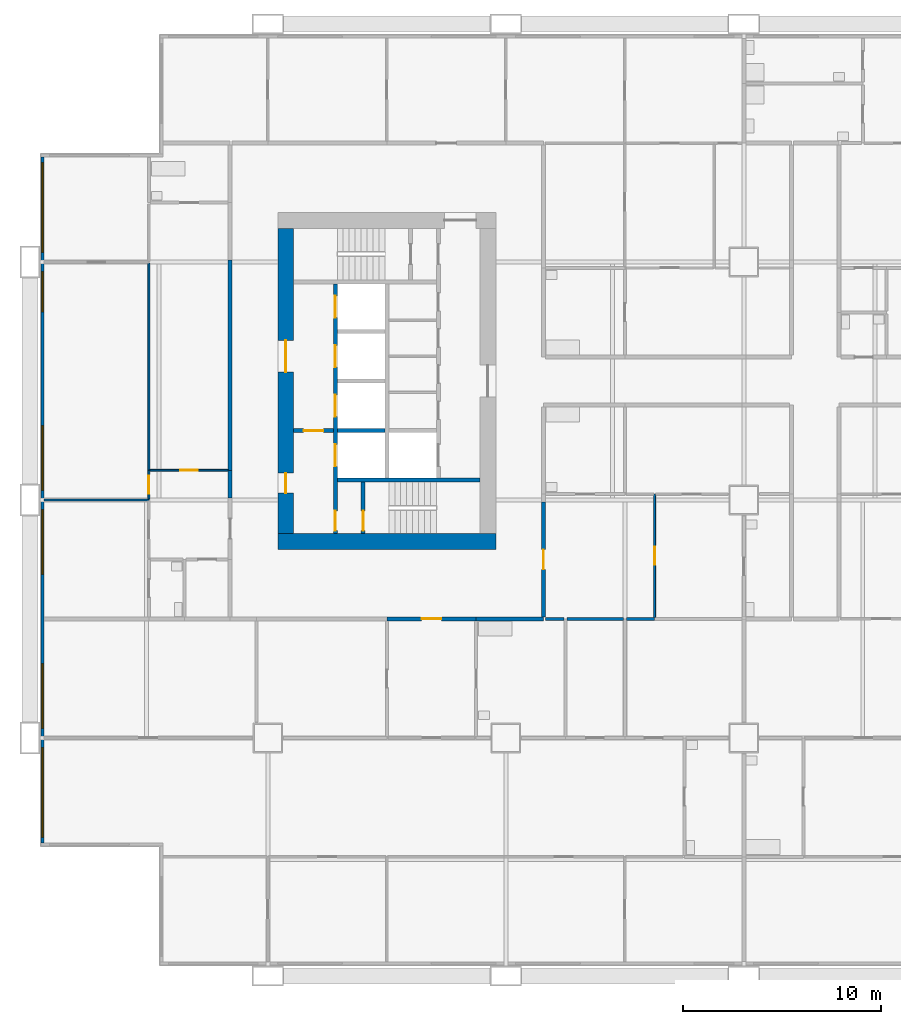
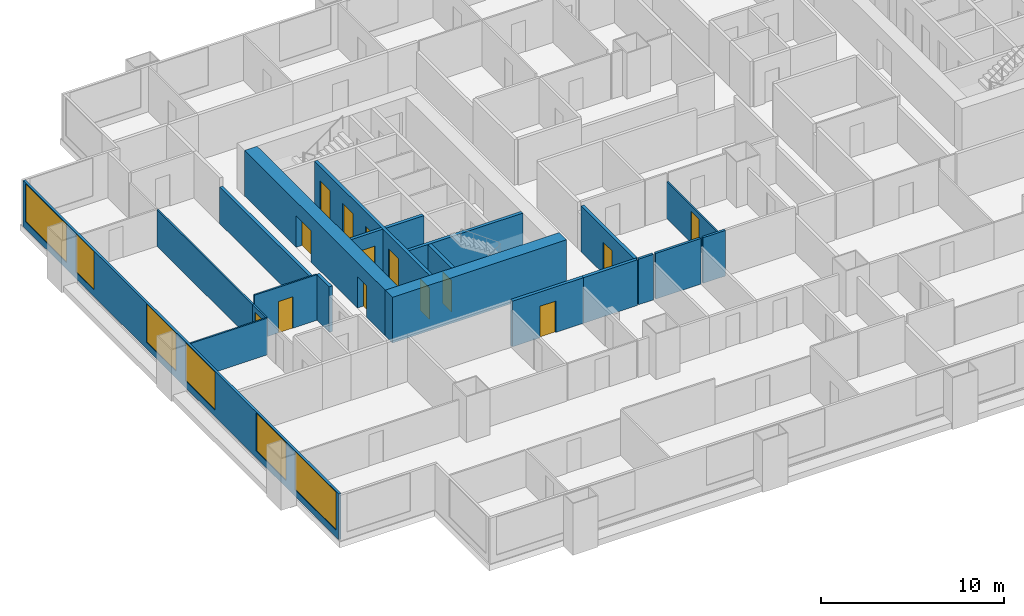
# One storey, part 3 of 13: 21 walls, 14 doors, 6 windows, 20 openings.
"""IFC4 building model written with IfcOpenShell, lengths in metres."""

from ifc_helpers import new_model, si_unit, direction, frame, frame_2d, origin, place, context, subcontext, project, spatial, rectangle, extrude, material, layer, layer_set, type_object, element, fill, save


model = new_model("IFC4")

# Units and contexts
model_context = context("Model", 3, precision=1e-05, world=origin(), true_north=direction((0.0, 1.0)))
body_context = subcontext(model_context, "Body", "Model", "MODEL_VIEW")
ifc_project = project(units=[si_unit("LENGTHUNIT", "METRE"), si_unit("AREAUNIT", "SQUARE_METRE"), si_unit("VOLUMEUNIT", "CUBIC_METRE"), si_unit("PLANEANGLEUNIT", "RADIAN"), si_unit("MASSUNIT", "GRAM", prefix="KILO")], contexts=[model_context])

# Site, building, storey
site_placement = place(None, origin())
site = spatial("IfcSite", under=ifc_project, at=site_placement, CompositionType="ELEMENT")
building_placement = place(site_placement, origin())
building = spatial("IfcBuilding", under=site, at=building_placement, Name="Kitamizu Gate Tower and Museum", CompositionType="ELEMENT")
storey_placement = place(building_placement, frame((0.0, 0.0, 78.300048828125)))
storey = spatial("IfcBuildingStorey", under=building, at=storey_placement, Name="L19", CompositionType="ELEMENT", Elevation=78.300048828125)

# Wall
ifc_material_1 = material(Name="Concrete Fc60", Category="concrete")
ifc_layer_1 = layer(ifc_material_1, 0.800048828125)
ifc_layer_set_1 = layer_set([ifc_layer_1], Name="Concrete Fc60")
wall_type_1 = type_object("IfcWallType", Name="Core wall 800", PredefinedType="SHEAR", material=ifc_layer_set_1)
wall_1_placement = place(storey_placement, frame((12.5, 21.89990234375, 0.0), z_axis=(0.0, 0.0, 1.0), x_axis=(1.0, 0.0, 0.0)))
element("IfcWall", 1, at=wall_1_placement, inside=storey, type_object=wall_type_1, Name="Core wall WS", PredefinedType="SHEAR", context=body_context, shape_type="SweptSolid", body=[
    extrude(rectangle(XDim=11.0, YDim=0.800048828125, at=frame_2d((5.5, 0.0))), origin(), (0.0, 0.0, 1.0), 3.050048828125),
])

# Wall, openings, doors
wall_2_placement = place(storey_placement, frame((12.89990234375, 22.300048828125, 0.0), z_axis=(0.0, 0.0, 1.0), x_axis=(0.0, 1.0, 0.0)))
wall_2 = element("IfcWall", 2, at=wall_2_placement, inside=storey, type_object=wall_type_1, Name="Core wall WOUT", PredefinedType="SHEAR", context=body_context, shape_type="SweptSolid", body=[
    extrude(rectangle(XDim=15.39990234375, YDim=0.800048828125, at=frame_2d((7.699951171875, 0.0))), origin(), (0.0, 0.0, 1.0), 3.050048828125),
])
opening_1_placement = place(wall_2_placement, frame((8.14990234375, 0.0, 0.0)))
opening_1 = element("IfcOpeningElement", 3, at=opening_1_placement, cuts=wall_2, Name="Opening L19-076", PredefinedType="OPENING", context=body_context, shape_type="SweptSolid", body=[
    extrude(rectangle(XDim=1.60009765625, YDim=2.10009765625, at=frame_2d((0.800048828125, 1.050048828125))), frame((0.0, 0.41015625, 0.0), z_axis=(0.0, -1.0, 0.0), x_axis=(1.0, 0.0, 0.0)), (0.0, 0.0, 1.0), 0.820068359375),
])
opening_2_placement = place(wall_2_placement, frame((2.050048828125, 0.0, 0.0)))
opening_2 = element("IfcOpeningElement", 4, at=opening_2_placement, cuts=wall_2, Name="Opening L19-077", PredefinedType="OPENING", context=body_context, shape_type="SweptSolid", body=[
    extrude(rectangle(XDim=1.0, YDim=2.10009765625, at=frame_2d((0.5, 1.050048828125))), frame((0.0, 0.41015625, 0.0), z_axis=(0.0, -1.0, 0.0), x_axis=(1.0, 0.0, 0.0)), (0.0, 0.0, 1.0), 0.820068359375),
])
ifc_material_2 = material(Name="Timber door set", Category="wood")
door_type_1 = type_object("IfcDoorType", Name="Entrance door 1600", OperationType="DOUBLE_DOOR_SINGLE_SWING", PredefinedType="DOOR", material=ifc_material_2)
door_1_placement = place(opening_1_placement, origin())
door_1 = element("IfcDoor", 5, at=door_1_placement, inside=storey, type_object=door_type_1, Name="Lobby door L19-076", OperationType="DOUBLE_DOOR_SINGLE_SWING", OverallHeight=2.10009765625, OverallWidth=1.60009765625, PredefinedType="DOOR", context=body_context, shape_type="SweptSolid", body=[
    extrude(rectangle(XDim=1.60009765625, YDim=2.10009765625, at=frame_2d((0.800048828125, 1.050048828125))), frame((0.0, 0.02490234375, 0.0), z_axis=(0.0, -1.0, 0.0), x_axis=(1.0, 0.0, 0.0)), (0.0, 0.0, 1.0), 0.050048828125),
])
fill(opening_1, door_1)
ifc_material_3 = material(Name="Hollow metal door set")
door_type_2 = type_object("IfcDoorType", Name="Fire door 1000", OperationType="NOTDEFINED", PredefinedType="DOOR", material=ifc_material_3)
door_2_placement = place(opening_2_placement, frame((1.0, 0.0, 0.0), x_axis=(-1.0, 0.0, 0.0)))
door_2 = element("IfcDoor", 6, at=door_2_placement, inside=storey, type_object=door_type_2, Name="Fire-fighting lobby door L19-077", OperationType="SINGLE_SWING_RIGHT", OverallHeight=2.10009765625, OverallWidth=1.0, PredefinedType="DOOR", context=body_context, shape_type="SweptSolid", body=[
    extrude(rectangle(XDim=1.0, YDim=2.10009765625, at=frame_2d((0.5, 1.050048828125))), frame((0.0, 0.02490234375, 0.0), z_axis=(0.0, -1.0, 0.0), x_axis=(1.0, 0.0, 0.0)), (0.0, 0.0, 1.0), 0.050048828125),
])
fill(opening_2, door_2)

# Wall, opening, door
ifc_material_4 = material(Name="Gypsum board on galvanised stud")
ifc_layer_2 = layer(ifc_material_4, 0.10009765625)
ifc_layer_set_2 = layer_set([ifc_layer_2], Name="Gypsum board on galvanised stud")
wall_type_2 = type_object("IfcWallType", Name="Partition 100 NOT RATED", PredefinedType="PARTITIONING", material=ifc_layer_set_2)
wall_3_placement = place(storey_placement, frame((31.5, 18.074951171875, 0.0), z_axis=(0.0, 0.0, 1.0), x_axis=(0.0, 1.0, 0.0)))
wall_3 = element("IfcWall", 7, at=wall_3_placement, inside=storey, type_object=wall_type_2, Name="Partition L19-038", PredefinedType="PARTITIONING", context=body_context, shape_type="SweptSolid", body=[
    extrude(rectangle(XDim=6.22509765625, YDim=0.10009765625, at=frame_2d((3.112548828125, 0.0))), origin(), (0.0, 0.0, 1.0), 2.449951171875),
])
opening_3_placement = place(wall_3_placement, frame((2.66259765625, 0.0, 0.0)))
opening_3 = element("IfcOpeningElement", 8, at=opening_3_placement, cuts=wall_3, Name="Opening L19-014", PredefinedType="OPENING", context=body_context, shape_type="SweptSolid", body=[
    extrude(rectangle(XDim=0.89990234375, YDim=2.10009765625, at=frame_2d((0.449951171875, 1.050048828125))), frame((0.0, 0.06005859375, 0.0), z_axis=(0.0, -1.0, 0.0), x_axis=(1.0, 0.0, 0.0)), (0.0, 0.0, 1.0), 0.1201171875),
])
ifc_material_5 = material(Name="Timber door set", Category="wood")
door_type_3 = type_object("IfcDoorType", Name="Room door 900", OperationType="NOTDEFINED", PredefinedType="DOOR", material=ifc_material_5)
door_3_placement = place(opening_3_placement, frame((0.89990234375, 0.0, 0.0), x_axis=(-1.0, 0.0, 0.0)))
door_3 = element("IfcDoor", 9, at=door_3_placement, inside=storey, type_object=door_type_3, Name="Door L19-014", OperationType="SINGLE_SWING_LEFT", OverallHeight=2.10009765625, OverallWidth=0.89990234375, PredefinedType="DOOR", context=body_context, shape_type="SweptSolid", body=[
    extrude(rectangle(XDim=0.89990234375, YDim=2.10009765625, at=frame_2d((0.449951171875, 1.050048828125))), frame((0.0, 0.02490234375, 0.0), z_axis=(0.0, -1.0, 0.0), x_axis=(1.0, 0.0, 0.0)), (0.0, 0.0, 1.0), 0.050048828125),
])
fill(opening_3, door_3)

# Wall
wall_4_placement = place(storey_placement, frame((6.0, 24.0, 0.0), z_axis=(0.0, 0.0, 1.0), x_axis=(-1.0, 0.0, 0.0)))
element("IfcWall", 10, at=wall_4_placement, inside=storey, type_object=wall_type_2, Name="Partition L19-054", PredefinedType="PARTITIONING", context=body_context, shape_type="SweptSolid", body=[
    extrude(rectangle(XDim=5.280029296875, YDim=0.10009765625, at=frame_2d((2.64013671875, 0.0))), origin(), (0.0, 0.0, 1.0), 2.449951171875),
])

# Wall, opening, door
wall_5_placement = place(storey_placement, frame((6.0, 24.050048828125, 0.0), z_axis=(0.0, 0.0, 1.0), x_axis=(0.0, 1.0, 0.0)))
wall_5 = element("IfcWall", 11, at=wall_5_placement, inside=storey, type_object=wall_type_2, Name="Partition L19-058", PredefinedType="PARTITIONING", context=body_context, shape_type="SweptSolid", body=[
    extrude(rectangle(XDim=1.449951171875, YDim=0.10009765625, at=frame_2d((0.72509765625, 0.0))), origin(), (0.0, 0.0, 1.0), 2.449951171875),
])
opening_4_placement = place(wall_5_placement, frame((0.27490234375, 0.0, 0.0)))
opening_4 = element("IfcOpeningElement", 12, at=opening_4_placement, cuts=wall_5, Name="Opening L19-020", PredefinedType="OPENING", context=body_context, shape_type="SweptSolid", body=[
    extrude(rectangle(XDim=0.89990234375, YDim=2.10009765625, at=frame_2d((0.449951171875, 1.050048828125))), frame((0.0, 0.06005859375, 0.0), z_axis=(0.0, -1.0, 0.0), x_axis=(1.0, 0.0, 0.0)), (0.0, 0.0, 1.0), 0.1201171875),
])
door_4_placement = place(opening_4_placement, origin())
door_4 = element("IfcDoor", 13, at=door_4_placement, inside=storey, type_object=door_type_3, Name="Door L19-020", OperationType="SINGLE_SWING_RIGHT", OverallHeight=2.10009765625, OverallWidth=0.89990234375, PredefinedType="DOOR", context=body_context, shape_type="SweptSolid", body=[
    extrude(rectangle(XDim=0.89990234375, YDim=2.10009765625, at=frame_2d((0.449951171875, 1.050048828125))), frame((0.0, 0.02490234375, 0.0), z_axis=(0.0, -1.0, 0.0), x_axis=(1.0, 0.0, 0.0)), (0.0, 0.0, 1.0), 0.050048828125),
])
fill(opening_4, door_4)

# Wall
wall_6_placement = place(storey_placement, frame((6.0, 25.5, 0.0), z_axis=(0.0, 0.0, 1.0), x_axis=(0.0, 1.0, 0.0)))
element("IfcWall", 14, at=wall_6_placement, inside=storey, type_object=wall_type_2, Name="Partition L19-059", PredefinedType="PARTITIONING", context=body_context, shape_type="SweptSolid", body=[
    extrude(rectangle(XDim=10.449951171875, YDim=0.10009765625, at=frame_2d((5.22509765625, 0.0))), origin(), (0.0, 0.0, 1.0), 2.449951171875),
])

# Wall, opening, door
wall_7_placement = place(storey_placement, frame((10.0, 25.5, 0.0), z_axis=(0.0, 0.0, 1.0), x_axis=(-1.0, 0.0, 0.0)))
wall_7 = element("IfcWall", 15, at=wall_7_placement, inside=storey, type_object=wall_type_2, Name="Partition L19-066", PredefinedType="PARTITIONING", context=body_context, shape_type="SweptSolid", body=[
    extrude(rectangle(XDim=3.949951171875, YDim=0.10009765625, at=frame_2d((1.97509765625, 0.0))), origin(), (0.0, 0.0, 1.0), 3.050048828125),
])
opening_5_placement = place(wall_7_placement, frame((1.52490234375, 0.0, 0.0)))
opening_5 = element("IfcOpeningElement", 16, at=opening_5_placement, cuts=wall_7, Name="Opening L19-021", PredefinedType="OPENING", context=body_context, shape_type="SweptSolid", body=[
    extrude(rectangle(XDim=0.89990234375, YDim=2.10009765625, at=frame_2d((0.449951171875, 1.050048828125))), frame((0.0, 0.06005859375, 0.0), z_axis=(0.0, -1.0, 0.0), x_axis=(1.0, 0.0, 0.0)), (0.0, 0.0, 1.0), 0.1201171875),
])
door_5_placement = place(opening_5_placement, origin())
door_5 = element("IfcDoor", 17, at=door_5_placement, inside=storey, type_object=door_type_3, Name="Door L19-021", OperationType="SINGLE_SWING_RIGHT", OverallHeight=2.10009765625, OverallWidth=0.89990234375, PredefinedType="DOOR", context=body_context, shape_type="SweptSolid", body=[
    extrude(rectangle(XDim=0.89990234375, YDim=2.10009765625, at=frame_2d((0.449951171875, 1.050048828125))), frame((0.0, 0.02490234375, 0.0), z_axis=(0.0, -1.0, 0.0), x_axis=(1.0, 0.0, 0.0)), (0.0, 0.0, 1.0), 0.050048828125),
])
fill(opening_5, door_5)

# Walls
ifc_material_6 = material(Name="Gypsum board on galvanised stud")
ifc_layer_3 = layer(ifc_material_6, 0.14990234375)
ifc_layer_set_3 = layer_set([ifc_layer_3], Name="Gypsum board on galvanised stud")
wall_type_3 = type_object("IfcWallType", Name="Partition 150", PredefinedType="PARTITIONING", material=ifc_layer_set_3)
wall_8_placement = place(storey_placement, frame((26.925048828125, 18.0, 0.0), z_axis=(0.0, 0.0, 1.0), x_axis=(-1.0, 0.0, 0.0)))
element("IfcWall", 18, at=wall_8_placement, inside=storey, type_object=wall_type_3, Name="Partition L19-031", PredefinedType="PARTITIONING", context=body_context, shape_type="SweptSolid", body=[
    extrude(rectangle(XDim=0.925048828125, YDim=0.14990234375, at=frame_2d((0.46240234375, 0.0))), origin(), (0.0, 0.0, 1.0), 3.050048828125),
])
wall_9_placement = place(storey_placement, frame((29.925048828125, 18.0, 0.0), z_axis=(0.0, 0.0, 1.0), x_axis=(-1.0, 0.0, 0.0)))
element("IfcWall", 19, at=wall_9_placement, inside=storey, type_object=wall_type_3, Name="Partition L19-034", PredefinedType="PARTITIONING", context=body_context, shape_type="SweptSolid", body=[
    extrude(rectangle(XDim=2.85009765625, YDim=0.14990234375, at=frame_2d((1.425048828125, 0.0))), origin(), (0.0, 0.0, 1.0), 3.050048828125),
])
wall_10_placement = place(storey_placement, frame((31.5, 18.0, 0.0), z_axis=(0.0, 0.0, 1.0), x_axis=(-1.0, 0.0, 0.0)))
element("IfcWall", 20, at=wall_10_placement, inside=storey, type_object=wall_type_3, Name="Partition L19-035", PredefinedType="PARTITIONING", context=body_context, shape_type="SweptSolid", body=[
    extrude(rectangle(XDim=1.425048828125, YDim=0.14990234375, at=frame_2d((0.71240234375, 0.0))), origin(), (0.0, 0.0, 1.0), 3.050048828125),
])

# Wall, opening, door
ifc_material_7 = material(Name="Gypsum board on galvanised stud")
ifc_layer_4 = layer(ifc_material_7, 0.199951171875)
ifc_layer_set_4 = layer_set([ifc_layer_4], Name="Gypsum board on galvanised stud")
wall_type_4 = type_object("IfcWallType", Name="Partition 200", PredefinedType="PARTITIONING", material=ifc_layer_set_4)
wall_11_placement = place(storey_placement, frame((22.5, 18.0, 0.0), z_axis=(0.0, 0.0, 1.0), x_axis=(-1.0, 0.0, 0.0)))
wall_11 = element("IfcWall", 21, at=wall_11_placement, inside=storey, type_object=wall_type_4, Name="Partition L19-029", PredefinedType="PARTITIONING", context=body_context, shape_type="SweptSolid", body=[
    extrude(rectangle(XDim=4.5, YDim=0.199951171875, at=frame_2d((2.25, 0.0))), origin(), (0.0, 0.0, 1.0), 3.050048828125),
])
opening_6_placement = place(wall_11_placement, frame((1.75, 0.0, 0.0)))
opening_6 = element("IfcOpeningElement", 22, at=opening_6_placement, cuts=wall_11, Name="Opening L19-001", PredefinedType="OPENING", context=body_context, shape_type="SweptSolid", body=[
    extrude(rectangle(XDim=1.0, YDim=2.10009765625, at=frame_2d((0.5, 1.050048828125))), frame((0.0, 0.10986328125, 0.0), z_axis=(0.0, -1.0, 0.0), x_axis=(1.0, 0.0, 0.0)), (0.0, 0.0, 1.0), 0.219970703125),
])
ifc_material_8 = material(Name="Timber door set", Category="wood")
door_type_4 = type_object("IfcDoorType", Name="Flat entrance door 1000", OperationType="NOTDEFINED", PredefinedType="DOOR", material=ifc_material_8)
door_6_placement = place(opening_6_placement, origin())
door_6 = element("IfcDoor", 23, at=door_6_placement, inside=storey, type_object=door_type_4, Name="Flat entrance door L19-001", OperationType="SINGLE_SWING_RIGHT", OverallHeight=2.10009765625, OverallWidth=1.0, PredefinedType="DOOR", context=body_context, shape_type="SweptSolid", body=[
    extrude(rectangle(XDim=1.0, YDim=2.10009765625, at=frame_2d((0.5, 1.050048828125))), frame((0.0, 0.02490234375, 0.0), z_axis=(0.0, -1.0, 0.0), x_axis=(1.0, 0.0, 0.0)), (0.0, 0.0, 1.0), 0.050048828125),
])
fill(opening_6, door_6)

# Wall
wall_12_placement = place(storey_placement, frame((25.89990234375, 18.0, 0.0), z_axis=(0.0, 0.0, 1.0), x_axis=(-1.0, 0.0, 0.0)))
element("IfcWall", 24, at=wall_12_placement, inside=storey, type_object=wall_type_4, Name="Partition L19-032", PredefinedType="PARTITIONING", context=body_context, shape_type="SweptSolid", body=[
    extrude(rectangle(XDim=3.39990234375, YDim=0.199951171875, at=frame_2d((1.699951171875, 0.0))), origin(), (0.0, 0.0, 1.0), 3.050048828125),
])

# Wall, opening, door
wall_13_placement = place(storey_placement, frame((25.89990234375, 23.89990234375, 0.0), z_axis=(0.0, 0.0, 1.0), x_axis=(0.0, -1.0, 0.0)))
wall_13 = element("IfcWall", 25, at=wall_13_placement, inside=storey, type_object=wall_type_4, Name="Partition L19-042", PredefinedType="PARTITIONING", context=body_context, shape_type="SweptSolid", body=[
    extrude(rectangle(XDim=5.7998046875, YDim=0.199951171875, at=frame_2d((2.89990234375, 0.0))), origin(), (0.0, 0.0, 1.0), 3.050048828125),
])
opening_7_placement = place(wall_13_placement, frame((2.39990234375, 0.0, 0.0)))
opening_7 = element("IfcOpeningElement", 26, at=opening_7_placement, cuts=wall_13, Name="Opening L19-013", PredefinedType="OPENING", context=body_context, shape_type="SweptSolid", body=[
    extrude(rectangle(XDim=1.0, YDim=2.10009765625, at=frame_2d((0.5, 1.050048828125))), frame((0.0, 0.10986328125, 0.0), z_axis=(0.0, -1.0, 0.0), x_axis=(1.0, 0.0, 0.0)), (0.0, 0.0, 1.0), 0.219970703125),
])
door_7_placement = place(opening_7_placement, origin())
door_7 = element("IfcDoor", 27, at=door_7_placement, inside=storey, type_object=door_type_4, Name="Flat entrance door L19-013", OperationType="SINGLE_SWING_LEFT", OverallHeight=2.10009765625, OverallWidth=1.0, PredefinedType="DOOR", context=body_context, shape_type="SweptSolid", body=[
    extrude(rectangle(XDim=1.0, YDim=2.10009765625, at=frame_2d((0.5, 1.050048828125))), frame((0.0, 0.02490234375, 0.0), z_axis=(0.0, -1.0, 0.0), x_axis=(1.0, 0.0, 0.0)), (0.0, 0.0, 1.0), 0.050048828125),
])
fill(opening_7, door_7)

# Walls
wall_14_placement = place(storey_placement, frame((10.10009765625, 24.10009765625, 0.0), z_axis=(0.0, 0.0, 1.0), x_axis=(0.0, 1.0, 0.0)))
element("IfcWall", 28, at=wall_14_placement, inside=storey, type_object=wall_type_4, Name="Partition L19-068", PredefinedType="PARTITIONING", context=body_context, shape_type="SweptSolid", body=[
    extrude(rectangle(XDim=1.39990234375, YDim=0.199951171875, at=frame_2d((0.699951171875, 0.0))), origin(), (0.0, 0.0, 1.0), 3.050048828125),
])
wall_15_placement = place(storey_placement, frame((10.10009765625, 25.5, 0.0), z_axis=(0.0, 0.0, 1.0), x_axis=(0.0, 1.0, 0.0)))
element("IfcWall", 29, at=wall_15_placement, inside=storey, type_object=wall_type_4, Name="Partition L19-070", PredefinedType="PARTITIONING", context=body_context, shape_type="SweptSolid", body=[
    extrude(rectangle(XDim=10.60009765625, YDim=0.199951171875, at=frame_2d((5.300048828125, 0.0))), origin(), (0.0, 0.0, 1.0), 2.449951171875),
])

# Wall, openings, doors
ifc_material_9 = material(Name="Concrete Fc42", Category="concrete")
ifc_layer_5 = layer(ifc_material_9, 0.199951171875)
ifc_layer_set_5 = layer_set([ifc_layer_5], Name="Concrete Fc42")
wall_type_5 = type_object("IfcWallType", Name="Shaft wall 200", PredefinedType="SOLIDWALL", material=ifc_layer_set_5)
wall_16_placement = place(storey_placement, frame((15.39990234375, 22.300048828125, 0.0), z_axis=(0.0, 0.0, 1.0), x_axis=(0.0, 1.0, 0.0)))
wall_16 = element("IfcWall", 30, at=wall_16_placement, inside=storey, type_object=wall_type_5, Name="Shaft wall WWEST", PredefinedType="SOLIDWALL", context=body_context, shape_type="SweptSolid", body=[
    extrude(rectangle(XDim=12.599853515625, YDim=0.199951171875, at=frame_2d((6.2998046875, 0.0))), origin(), (0.0, 0.0, 1.0), 3.050048828125),
])
opening_8_placement = place(wall_16_placement, frame((3.39990234375, 0.0, 0.0)))
opening_8 = element("IfcOpeningElement", 31, at=opening_8_placement, cuts=wall_16, Name="Opening LD", PredefinedType="OPENING", context=body_context, shape_type="SweptSolid", body=[
    extrude(rectangle(XDim=1.10009765625, YDim=2.10009765625, at=frame_2d((0.550048828125, 1.050048828125))), frame((0.0, 0.10986328125, 0.0), z_axis=(0.0, -1.0, 0.0), x_axis=(1.0, 0.0, 0.0)), (0.0, 0.0, 1.0), 0.219970703125),
])
opening_9_placement = place(wall_16_placement, frame((5.89990234375, 0.0, 0.0)))
opening_9 = element("IfcOpeningElement", 32, at=opening_9_placement, cuts=wall_16, Name="Opening LD", PredefinedType="OPENING", context=body_context, shape_type="SweptSolid", body=[
    extrude(rectangle(XDim=1.10009765625, YDim=2.10009765625, at=frame_2d((0.550048828125, 1.050048828125))), frame((0.0, 0.10986328125, 0.0), z_axis=(0.0, -1.0, 0.0), x_axis=(1.0, 0.0, 0.0)), (0.0, 0.0, 1.0), 0.219970703125),
])
opening_10_placement = place(wall_16_placement, frame((8.39990234375, 0.0, 0.0)))
opening_10 = element("IfcOpeningElement", 33, at=opening_10_placement, cuts=wall_16, Name="Opening LD", PredefinedType="OPENING", context=body_context, shape_type="SweptSolid", body=[
    extrude(rectangle(XDim=1.10009765625, YDim=2.10009765625, at=frame_2d((0.550048828125, 1.050048828125))), frame((0.0, 0.10986328125, 0.0), z_axis=(0.0, -1.0, 0.0), x_axis=(1.0, 0.0, 0.0)), (0.0, 0.0, 1.0), 0.219970703125),
])
opening_11_placement = place(wall_16_placement, frame((10.89990234375, 0.0, 0.0)))
opening_11 = element("IfcOpeningElement", 34, at=opening_11_placement, cuts=wall_16, Name="Opening LD", PredefinedType="OPENING", context=body_context, shape_type="SweptSolid", body=[
    extrude(rectangle(XDim=1.10009765625, YDim=2.10009765625, at=frame_2d((0.550048828125, 1.050048828125))), frame((0.0, 0.10986328125, 0.0), z_axis=(0.0, -1.0, 0.0), x_axis=(1.0, 0.0, 0.0)), (0.0, 0.0, 1.0), 0.219970703125),
])
opening_12_placement = place(wall_16_placement, frame((0.14990234375, 0.0, 0.0)))
opening_12 = element("IfcOpeningElement", 35, at=opening_12_placement, cuts=wall_16, Name="Opening L19-072", PredefinedType="OPENING", context=body_context, shape_type="SweptSolid", body=[
    extrude(rectangle(XDim=1.0, YDim=2.10009765625, at=frame_2d((0.5, 1.050048828125))), frame((0.0, 0.10986328125, 0.0), z_axis=(0.0, -1.0, 0.0), x_axis=(1.0, 0.0, 0.0)), (0.0, 0.0, 1.0), 0.219970703125),
])
door_8_placement = place(opening_12_placement, frame((1.0, 0.0, 0.0), x_axis=(-1.0, 0.0, 0.0)))
door_8 = element("IfcDoor", 36, at=door_8_placement, inside=storey, type_object=door_type_2, Name="Stair lobby door L19-072", OperationType="SINGLE_SWING_LEFT", OverallHeight=2.10009765625, OverallWidth=1.0, PredefinedType="DOOR", context=body_context, shape_type="SweptSolid", body=[
    extrude(rectangle(XDim=1.0, YDim=2.10009765625, at=frame_2d((0.5, 1.050048828125))), frame((0.0, 0.02490234375, 0.0), z_axis=(0.0, -1.0, 0.0), x_axis=(1.0, 0.0, 0.0)), (0.0, 0.0, 1.0), 0.050048828125),
])
fill(opening_12, door_8)
ifc_material_10 = material(Name="Hollow metal door set")
door_type_5 = type_object("IfcDoorType", Name="Landing door 1100", OperationType="SLIDING_TO_LEFT", PredefinedType="DOOR", material=ifc_material_10)
door_9_placement = place(opening_8_placement, origin())
door_9 = element("IfcDoor", 37, at=door_9_placement, inside=storey, type_object=door_type_5, Name="Landing door WFF1", OperationType="SLIDING_TO_LEFT", OverallHeight=2.10009765625, OverallWidth=1.10009765625, PredefinedType="DOOR", context=body_context, shape_type="SweptSolid", body=[
    extrude(rectangle(XDim=1.10009765625, YDim=2.10009765625, at=frame_2d((0.550048828125, 1.050048828125))), frame((0.0, 0.02490234375, 0.0), z_axis=(0.0, -1.0, 0.0), x_axis=(1.0, 0.0, 0.0)), (0.0, 0.0, 1.0), 0.050048828125),
])
fill(opening_8, door_9)
door_10_placement = place(opening_9_placement, origin())
door_10 = element("IfcDoor", 38, at=door_10_placement, inside=storey, type_object=door_type_5, Name="Landing door WL1", OperationType="SLIDING_TO_LEFT", OverallHeight=2.10009765625, OverallWidth=1.10009765625, PredefinedType="DOOR", context=body_context, shape_type="SweptSolid", body=[
    extrude(rectangle(XDim=1.10009765625, YDim=2.10009765625, at=frame_2d((0.550048828125, 1.050048828125))), frame((0.0, 0.02490234375, 0.0), z_axis=(0.0, -1.0, 0.0), x_axis=(1.0, 0.0, 0.0)), (0.0, 0.0, 1.0), 0.050048828125),
])
fill(opening_9, door_10)
door_11_placement = place(opening_10_placement, origin())
door_11 = element("IfcDoor", 39, at=door_11_placement, inside=storey, type_object=door_type_5, Name="Landing door WL2", OperationType="SLIDING_TO_LEFT", OverallHeight=2.10009765625, OverallWidth=1.10009765625, PredefinedType="DOOR", context=body_context, shape_type="SweptSolid", body=[
    extrude(rectangle(XDim=1.10009765625, YDim=2.10009765625, at=frame_2d((0.550048828125, 1.050048828125))), frame((0.0, 0.02490234375, 0.0), z_axis=(0.0, -1.0, 0.0), x_axis=(1.0, 0.0, 0.0)), (0.0, 0.0, 1.0), 0.050048828125),
])
fill(opening_10, door_11)
door_12_placement = place(opening_11_placement, origin())
door_12 = element("IfcDoor", 40, at=door_12_placement, inside=storey, type_object=door_type_5, Name="Landing door WL3", OperationType="SLIDING_TO_LEFT", OverallHeight=2.10009765625, OverallWidth=1.10009765625, PredefinedType="DOOR", context=body_context, shape_type="SweptSolid", body=[
    extrude(rectangle(XDim=1.10009765625, YDim=2.10009765625, at=frame_2d((0.550048828125, 1.050048828125))), frame((0.0, 0.02490234375, 0.0), z_axis=(0.0, -1.0, 0.0), x_axis=(1.0, 0.0, 0.0)), (0.0, 0.0, 1.0), 0.050048828125),
])
fill(opening_11, door_12)

# Wall
wall_17_placement = place(storey_placement, frame((15.5, 25.0, 0.0), z_axis=(0.0, 0.0, 1.0), x_axis=(1.0, 0.0, 0.0)))
element("IfcWall", 41, at=wall_17_placement, inside=storey, type_object=wall_type_5, Name="Shaft wall WSB", PredefinedType="SOLIDWALL", context=body_context, shape_type="SweptSolid", body=[
    extrude(rectangle(XDim=7.199951171875, YDim=0.199951171875, at=frame_2d((3.60009765625, 0.0))), origin(), (0.0, 0.0, 1.0), 3.050048828125),
])

# Wall, opening, door
wall_18_placement = place(storey_placement, frame((13.300048828125, 27.5, 0.0), z_axis=(0.0, 0.0, 1.0), x_axis=(1.0, 0.0, 0.0)))
wall_18 = element("IfcWall", 42, at=wall_18_placement, inside=storey, type_object=wall_type_5, Name="Shaft wall WFFN", PredefinedType="SOLIDWALL", context=body_context, shape_type="SweptSolid", body=[
    extrude(rectangle(XDim=2.0, YDim=0.199951171875, at=frame_2d((1.0, 0.0))), origin(), (0.0, 0.0, 1.0), 3.050048828125),
])
opening_13_placement = place(wall_18_placement, frame((0.5, 0.0, 0.0)))
opening_13 = element("IfcOpeningElement", 43, at=opening_13_placement, cuts=wall_18, Name="Opening L19-075", PredefinedType="OPENING", context=body_context, shape_type="SweptSolid", body=[
    extrude(rectangle(XDim=1.0, YDim=2.10009765625, at=frame_2d((0.5, 1.050048828125))), frame((0.0, 0.10986328125, 0.0), z_axis=(0.0, -1.0, 0.0), x_axis=(1.0, 0.0, 0.0)), (0.0, 0.0, 1.0), 0.219970703125),
])
door_13_placement = place(opening_13_placement, frame((1.0, 0.0, 0.0), x_axis=(-1.0, 0.0, 0.0)))
door_13 = element("IfcDoor", 44, at=door_13_placement, inside=storey, type_object=door_type_2, Name="Fire-fighting lobby door L19-075", OperationType="SINGLE_SWING_LEFT", OverallHeight=2.10009765625, OverallWidth=1.0, PredefinedType="DOOR", context=body_context, shape_type="SweptSolid", body=[
    extrude(rectangle(XDim=1.0, YDim=2.10009765625, at=frame_2d((0.5, 1.050048828125))), frame((0.0, 0.02490234375, 0.0), z_axis=(0.0, -1.0, 0.0), x_axis=(1.0, 0.0, 0.0)), (0.0, 0.0, 1.0), 0.050048828125),
])
fill(opening_13, door_13)

wall_19_placement = place(storey_placement, frame((16.800048828125, 22.300048828125, 0.0), z_axis=(0.0, 0.0, 1.0), x_axis=(0.0, 1.0, 0.0)))
wall_19 = element("IfcWall", 45, at=wall_19_placement, inside=storey, type_object=wall_type_5, Name="Shaft wall WSZ", PredefinedType="SOLIDWALL", context=body_context, shape_type="SweptSolid", body=[
    extrude(rectangle(XDim=2.599853515625, YDim=0.199951171875, at=frame_2d((1.2998046875, 0.0))), origin(), (0.0, 0.0, 1.0), 3.050048828125),
])
opening_14_placement = place(wall_19_placement, frame((0.14990234375, 0.0, 0.0)))
opening_14 = element("IfcOpeningElement", 46, at=opening_14_placement, cuts=wall_19, Name="Opening L19-071", PredefinedType="OPENING", context=body_context, shape_type="SweptSolid", body=[
    extrude(rectangle(XDim=1.0, YDim=2.10009765625, at=frame_2d((0.5, 1.050048828125))), frame((0.0, 0.10986328125, 0.0), z_axis=(0.0, -1.0, 0.0), x_axis=(1.0, 0.0, 0.0)), (0.0, 0.0, 1.0), 0.219970703125),
])
door_14_placement = place(opening_14_placement, frame((1.0, 0.0, 0.0), x_axis=(-1.0, 0.0, 0.0)))
door_14 = element("IfcDoor", 47, at=door_14_placement, inside=storey, type_object=door_type_2, Name="Stair door L19-071", OperationType="SINGLE_SWING_LEFT", OverallHeight=2.10009765625, OverallWidth=1.0, PredefinedType="DOOR", context=body_context, shape_type="SweptSolid", body=[
    extrude(rectangle(XDim=1.0, YDim=2.10009765625, at=frame_2d((0.5, 1.050048828125))), frame((0.0, 0.02490234375, 0.0), z_axis=(0.0, -1.0, 0.0), x_axis=(1.0, 0.0, 0.0)), (0.0, 0.0, 1.0), 0.050048828125),
])
fill(opening_14, door_14)

# Wall
wall_20_placement = place(storey_placement, frame((15.5, 27.5, 0.0), z_axis=(0.0, 0.0, 1.0), x_axis=(1.0, 0.0, 0.0)))
element("IfcWall", 48, at=wall_20_placement, inside=storey, type_object=wall_type_5, Name="Shaft wall WDVW0", PredefinedType="SOLIDWALL", context=body_context, shape_type="SweptSolid", body=[
    extrude(rectangle(XDim=2.39990234375, YDim=0.199951171875, at=frame_2d((1.199951171875, 0.0))), origin(), (0.0, 0.0, 1.0), 3.050048828125),
])

# Wall, openings, windows
ifc_material_11 = material(Name="Bronze anodised aluminium frame with insulated spandrel and tinted glass", Category="aluminium")
ifc_layer_6 = layer(ifc_material_11, 0.14990234375)
ifc_layer_set_6 = layer_set([ifc_layer_6], Name="Bronze anodised aluminium frame with insulated spandrel and tinted glass")
wall_type_6 = type_object("IfcWallType", Name="WINDOW WALL 150 BRONZE FRAME EI 30", PredefinedType="ELEMENTEDWALL", material=ifc_layer_set_6)
wall_21_placement = place(storey_placement, frame((0.635009765625, 6.7099609375, 0.0), z_axis=(0.0, 0.0, 1.0), x_axis=(0.0, 1.0, 0.0)))
wall_21 = element("IfcWall", 49, at=wall_21_placement, inside=storey, type_object=wall_type_6, Name="Window wall west L19", PredefinedType="ELEMENTEDWALL", context=body_context, shape_type="SweptSolid", body=[
    extrude(rectangle(XDim=34.580078125, YDim=0.14990234375, at=frame_2d((17.2900390625, 0.0))), origin(), (0.0, 0.0, 1.0), 3.050048828125),
])
opening_15_placement = place(wall_21_placement, frame((0.2900390625, 0.0, 0.449951171875)))
opening_15 = element("IfcOpeningElement", 50, at=opening_15_placement, cuts=wall_21, Name="Opening W15", PredefinedType="OPENING", context=body_context, shape_type="SweptSolid", body=[
    extrude(rectangle(XDim=4.5, YDim=2.550048828125, at=frame_2d((2.25, 1.27490234375))), frame((0.0, 0.0849609375, 0.0), z_axis=(0.0, -1.0, 0.0), x_axis=(1.0, 0.0, 0.0)), (0.0, 0.0, 1.0), 0.169921875),
])
opening_16_placement = place(wall_21_placement, frame((5.7900390625, 0.0, 0.449951171875)))
opening_16 = element("IfcOpeningElement", 51, at=opening_16_placement, cuts=wall_21, Name="Opening W34", PredefinedType="OPENING", context=body_context, shape_type="SweptSolid", body=[
    extrude(rectangle(XDim=3.25, YDim=2.550048828125, at=frame_2d((1.625, 1.27490234375))), frame((0.0, 0.0849609375, 0.0), z_axis=(0.0, -1.0, 0.0), x_axis=(1.0, 0.0, 0.0)), (0.0, 0.0, 1.0), 0.169921875),
])
opening_17_placement = place(wall_21_placement, frame((13.5400390625, 0.0, 0.449951171875)))
opening_17 = element("IfcOpeningElement", 52, at=opening_17_placement, cuts=wall_21, Name="Opening W34", PredefinedType="OPENING", context=body_context, shape_type="SweptSolid", body=[
    extrude(rectangle(XDim=3.25, YDim=2.550048828125, at=frame_2d((1.625, 1.27490234375))), frame((0.0, 0.0849609375, 0.0), z_axis=(0.0, -1.0, 0.0), x_axis=(1.0, 0.0, 0.0)), (0.0, 0.0, 1.0), 0.169921875),
])
opening_18_placement = place(wall_21_placement, frame((17.7900390625, 0.0, 0.449951171875)))
opening_18 = element("IfcOpeningElement", 53, at=opening_18_placement, cuts=wall_21, Name="Opening W34", PredefinedType="OPENING", context=body_context, shape_type="SweptSolid", body=[
    extrude(rectangle(XDim=3.25, YDim=2.550048828125, at=frame_2d((1.625, 1.27490234375))), frame((0.0, 0.0849609375, 0.0), z_axis=(0.0, -1.0, 0.0), x_axis=(1.0, 0.0, 0.0)), (0.0, 0.0, 1.0), 0.169921875),
])
opening_19_placement = place(wall_21_placement, frame((26.7900390625, 0.0, 0.449951171875)))
opening_19 = element("IfcOpeningElement", 54, at=opening_19_placement, cuts=wall_21, Name="Opening W2", PredefinedType="OPENING", context=body_context, shape_type="SweptSolid", body=[
    extrude(rectangle(XDim=2.0, YDim=2.550048828125, at=frame_2d((1.0, 1.27490234375))), frame((0.0, 0.0849609375, 0.0), z_axis=(0.0, -1.0, 0.0), x_axis=(1.0, 0.0, 0.0)), (0.0, 0.0, 1.0), 0.169921875),
])
opening_20_placement = place(wall_21_placement, frame((29.7900390625, 0.0, 0.449951171875)))
opening_20 = element("IfcOpeningElement", 55, at=opening_20_placement, cuts=wall_21, Name="Opening W15", PredefinedType="OPENING", context=body_context, shape_type="SweptSolid", body=[
    extrude(rectangle(XDim=4.5, YDim=2.550048828125, at=frame_2d((2.25, 1.27490234375))), frame((0.0, 0.0849609375, 0.0), z_axis=(0.0, -1.0, 0.0), x_axis=(1.0, 0.0, 0.0)), (0.0, 0.0, 1.0), 0.169921875),
])
ifc_material_12 = material(Name="Bronze anodised aluminium frame, tinted triple glazing", Category="aluminium")
window_type_1 = type_object("IfcWindowType", Name="WINDOW 2000 x 2550 SILL 450", PartitioningType="SINGLE_PANEL", PredefinedType="WINDOW", material=ifc_material_12)
window_1_placement = place(opening_19_placement, origin())
window_1 = element("IfcWindow", 56, at=window_1_placement, inside=storey, type_object=window_type_1, Name="Window W2 L19", OverallHeight=2.550048828125, OverallWidth=2.0, PartitioningType="SINGLE_PANEL", PredefinedType="WINDOW", context=body_context, shape_type="SweptSolid", body=[
    extrude(rectangle(XDim=2.0, YDim=2.550048828125, at=frame_2d((1.0, 1.27490234375))), frame((0.0, 0.030029296875, 0.0), z_axis=(0.0, -1.0, 0.0), x_axis=(1.0, 0.0, 0.0)), (0.0, 0.0, 1.0), 0.06005859375),
])
fill(opening_19, window_1)
ifc_material_13 = material(Name="Bronze anodised aluminium frame, tinted triple glazing", Category="aluminium")
window_type_2 = type_object("IfcWindowType", Name="WINDOW 3250 x 2550 SILL 450", PartitioningType="SINGLE_PANEL", PredefinedType="WINDOW", material=ifc_material_13)
window_2_placement = place(opening_16_placement, origin())
window_2 = element("IfcWindow", 57, at=window_2_placement, inside=storey, type_object=window_type_2, Name="Window W34 L19", OverallHeight=2.550048828125, OverallWidth=3.25, PartitioningType="SINGLE_PANEL", PredefinedType="WINDOW", context=body_context, shape_type="SweptSolid", body=[
    extrude(rectangle(XDim=3.25, YDim=2.550048828125, at=frame_2d((1.625, 1.27490234375))), frame((0.0, 0.030029296875, 0.0), z_axis=(0.0, -1.0, 0.0), x_axis=(1.0, 0.0, 0.0)), (0.0, 0.0, 1.0), 0.06005859375),
])
fill(opening_16, window_2)
window_3_placement = place(opening_17_placement, origin())
window_3 = element("IfcWindow", 58, at=window_3_placement, inside=storey, type_object=window_type_2, Name="Window W34 L19", OverallHeight=2.550048828125, OverallWidth=3.25, PartitioningType="SINGLE_PANEL", PredefinedType="WINDOW", context=body_context, shape_type="SweptSolid", body=[
    extrude(rectangle(XDim=3.25, YDim=2.550048828125, at=frame_2d((1.625, 1.27490234375))), frame((0.0, 0.030029296875, 0.0), z_axis=(0.0, -1.0, 0.0), x_axis=(1.0, 0.0, 0.0)), (0.0, 0.0, 1.0), 0.06005859375),
])
fill(opening_17, window_3)
window_4_placement = place(opening_18_placement, origin())
window_4 = element("IfcWindow", 59, at=window_4_placement, inside=storey, type_object=window_type_2, Name="Window W34 L19", OverallHeight=2.550048828125, OverallWidth=3.25, PartitioningType="SINGLE_PANEL", PredefinedType="WINDOW", context=body_context, shape_type="SweptSolid", body=[
    extrude(rectangle(XDim=3.25, YDim=2.550048828125, at=frame_2d((1.625, 1.27490234375))), frame((0.0, 0.030029296875, 0.0), z_axis=(0.0, -1.0, 0.0), x_axis=(1.0, 0.0, 0.0)), (0.0, 0.0, 1.0), 0.06005859375),
])
fill(opening_18, window_4)
ifc_material_14 = material(Name="Bronze anodised aluminium frame, tinted triple glazing", Category="aluminium")
window_type_3 = type_object("IfcWindowType", Name="WINDOW 4500 x 2550 SILL 450", PartitioningType="SINGLE_PANEL", PredefinedType="WINDOW", material=ifc_material_14)
window_5_placement = place(opening_15_placement, origin())
window_5 = element("IfcWindow", 60, at=window_5_placement, inside=storey, type_object=window_type_3, Name="Window W15 L19", OverallHeight=2.550048828125, OverallWidth=4.5, PartitioningType="SINGLE_PANEL", PredefinedType="WINDOW", context=body_context, shape_type="SweptSolid", body=[
    extrude(rectangle(XDim=4.5, YDim=2.550048828125, at=frame_2d((2.25, 1.27490234375))), frame((0.0, 0.030029296875, 0.0), z_axis=(0.0, -1.0, 0.0), x_axis=(1.0, 0.0, 0.0)), (0.0, 0.0, 1.0), 0.06005859375),
])
fill(opening_15, window_5)
window_6_placement = place(opening_20_placement, origin())
window_6 = element("IfcWindow", 61, at=window_6_placement, inside=storey, type_object=window_type_3, Name="Window W15 L19", OverallHeight=2.550048828125, OverallWidth=4.5, PartitioningType="SINGLE_PANEL", PredefinedType="WINDOW", context=body_context, shape_type="SweptSolid", body=[
    extrude(rectangle(XDim=4.5, YDim=2.550048828125, at=frame_2d((2.25, 1.27490234375))), frame((0.0, 0.030029296875, 0.0), z_axis=(0.0, -1.0, 0.0), x_axis=(1.0, 0.0, 0.0)), (0.0, 0.0, 1.0), 0.06005859375),
])
fill(opening_20, window_6)

save(model, "model.ifc")
